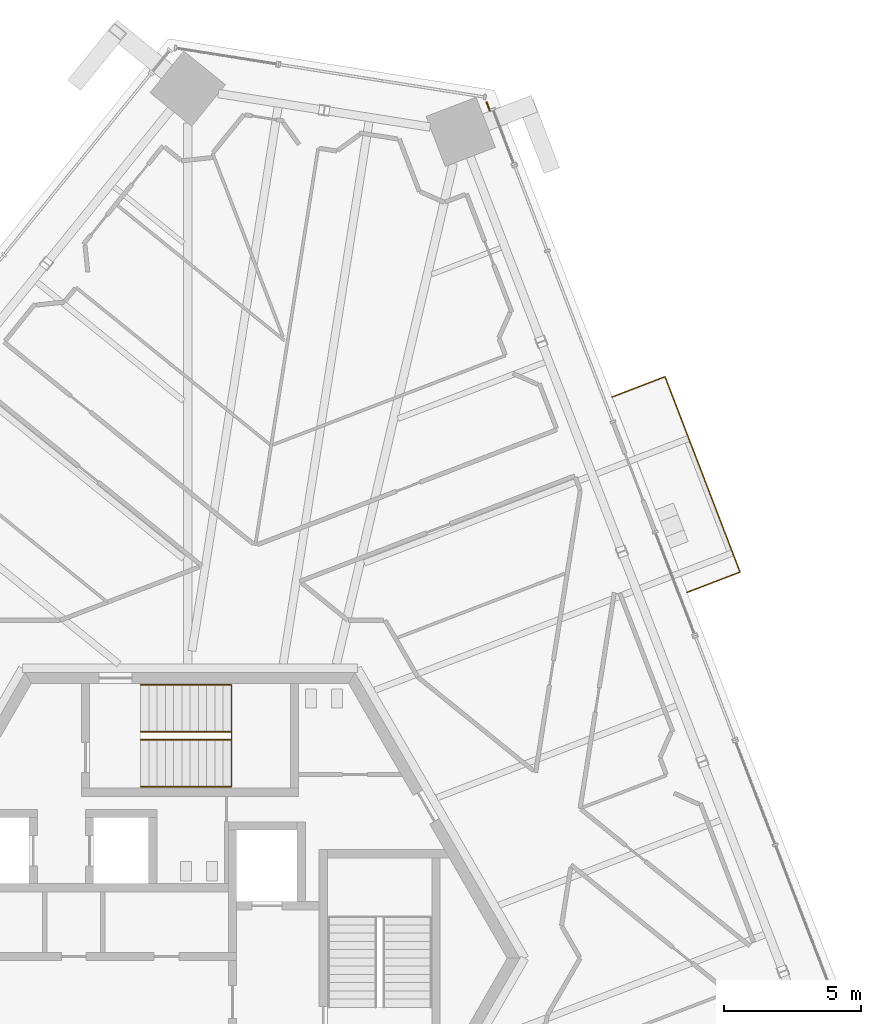
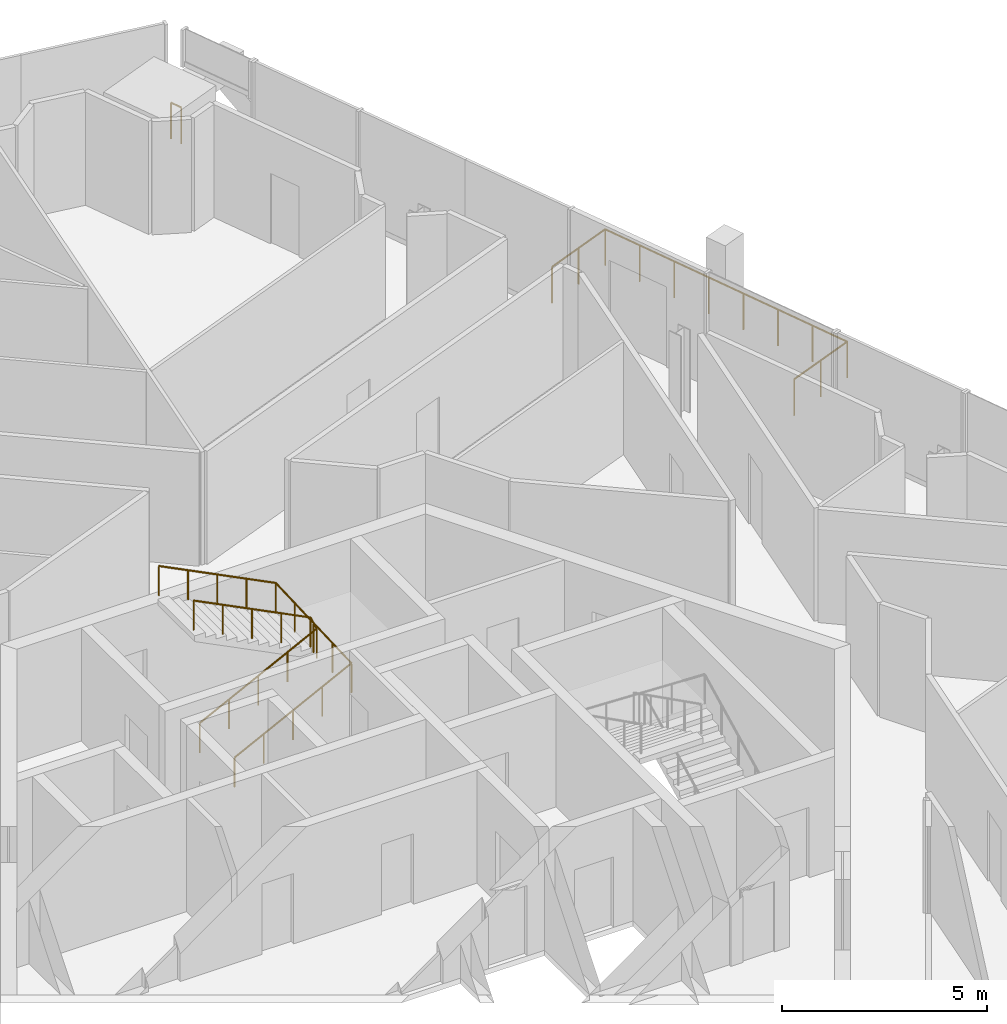
# One storey, part 20 of 23: 4 railings.
"""IFC4 building model written with IfcOpenShell, lengths in metres."""

from ifc_helpers import new_model, si_unit, direction, frame, origin, origin_2d, place, context, subcontext, project, spatial, circle, extrude, source, transform, mapped, material, type_object, element, save


model = new_model("IFC4")

# Units and contexts
model_context = context("Model", 3, precision=1e-05, world=origin(), true_north=direction((0.0, 1.0)))
body_context = subcontext(model_context, "Body", "Model", "MODEL_VIEW")
ifc_project = project(units=[si_unit("LENGTHUNIT", "METRE"), si_unit("AREAUNIT", "SQUARE_METRE"), si_unit("VOLUMEUNIT", "CUBIC_METRE"), si_unit("PLANEANGLEUNIT", "RADIAN"), si_unit("MASSUNIT", "GRAM", prefix="KILO")], contexts=[model_context])

# Site, building, storey
site_placement = place(None, origin())
site = spatial("IfcSite", under=ifc_project, at=site_placement, CompositionType="ELEMENT")
building_placement = place(site_placement, origin())
building = spatial("IfcBuilding", under=site, at=building_placement, Name="Triune Harvest Tower", CompositionType="ELEMENT")
storey_placement = place(building_placement, frame((0.0, 0.0, 171.300048828125)))
storey = spatial("IfcBuildingStorey", under=building, at=storey_placement, Name="L44", CompositionType="ELEMENT", Elevation=171.300048828125)

# Railings
ifc_material_1 = material(Name="Glass", Category="glass")
railing_type_1 = type_object("IfcRailingType", Name="GD-3 facade guard 1100", PredefinedType="GUARDRAIL", material=ifc_material_1)
railing_1_placement = place(storey_placement, frame((10.9033203125, 30.827392578125, 0.0)))
element("IfcRailing", 1, at=railing_1_placement, inside=storey, type_object=railing_type_1, Name="Facade guard B4-F1 L44.2.1", PredefinedType="GUARDRAIL", context=body_context, shape_type="SweptSolid", body=[
    extrude(circle(Radius=0.02392578125, at=origin_2d()), frame((0.0, 0.0, 1.076171875), z_axis=(-0.358478574369, 0.933537954086, 0.0), x_axis=(-0.933537954086, -0.358478574369, 0.0)), (0.0, 0.0, 1.0), 0.326904296875),
    extrude(circle(Radius=0.02099609375, at=origin_2d()), origin(), (0.0, 0.0, 1.0), 1.052001953125),
    extrude(circle(Radius=0.02099609375, at=origin_2d()), frame((-0.1171875, 0.30517578125, 0.0)), (0.0, 0.0, 1.0), 1.052001953125),
])
ifc_material_2 = material(Name="Stainless steel AISI 316", Category="steel")
railing_type_2 = type_object("IfcRailingType", Name="Stair handrail", PredefinedType="HANDRAIL", material=ifc_material_2)
railing_2_placement = place(storey_placement, frame((-1.7900390625, 6.239990234375, 0.15087890625)))
element("IfcRailing", 2, at=railing_2_placement, inside=storey, type_object=railing_type_2, Name="Exit stair north wall handrail", PredefinedType="HANDRAIL", context=body_context, shape_type="SweptSolid", body=[
    extrude(circle(Radius=0.02392578125, at=origin_2d()), frame((0.0, 0.0, 0.8759765625), z_axis=(0.893168195916, 0.0, 0.449722774388), x_axis=(0.0, 1.0, 0.0)), (0.0, 0.0, 1.0), 3.69482421875),
    extrude(circle(Radius=0.02392578125, at=origin_2d()), frame((3.300048828125, 0.0, 2.53759765625), z_axis=(0.0, 0.999169587562, 0.040744757843), x_axis=(-1.0, 0.0, 0.0)), (0.0, 0.0, 1.0), 3.703125),
    extrude(circle(Radius=0.02392578125, at=origin_2d()), frame((3.300048828125, 3.699951171875, 2.6884765625), z_axis=(-0.893168195916, 0.0, 0.449722774388), x_axis=(0.0, -1.0, 0.0)), (0.0, 0.0, 1.0), 3.69482421875),
    extrude(circle(Radius=0.02099609375, at=origin_2d()), origin(), (0.0, 0.0, 1.0), 0.851806640625),
    extrude(circle(Radius=0.02099609375, at=origin_2d()), frame((0.824951171875, 0.0, 0.41552734375)), (0.0, 0.0, 1.0), 0.851806640625),
    extrude(circle(Radius=0.02099609375, at=origin_2d()), frame((1.64990234375, 0.0, 0.830810546875)), (0.0, 0.0, 1.0), 0.851806640625),
    extrude(circle(Radius=0.02099609375, at=origin_2d()), frame((2.47509765625, 0.0, 1.24609375)), (0.0, 0.0, 1.0), 0.851806640625),
    extrude(circle(Radius=0.02099609375, at=origin_2d()), frame((3.300048828125, 0.0, 1.66162109375)), (0.0, 0.0, 1.0), 0.851806640625),
    extrude(circle(Radius=0.02099609375, at=origin_2d()), frame((3.300048828125, 0.925048828125, 1.69921875)), (0.0, 0.0, 1.0), 0.851806640625),
    extrude(circle(Radius=0.02099609375, at=origin_2d()), frame((3.300048828125, 1.85009765625, 1.737060546875)), (0.0, 0.0, 1.0), 0.851806640625),
    extrude(circle(Radius=0.02099609375, at=origin_2d()), frame((3.300048828125, 2.77490234375, 1.77490234375)), (0.0, 0.0, 1.0), 0.851806640625),
    extrude(circle(Radius=0.02099609375, at=origin_2d()), frame((3.300048828125, 3.699951171875, 1.8125)), (0.0, 0.0, 1.0), 0.851806640625),
    extrude(circle(Radius=0.02099609375, at=origin_2d()), frame((2.47509765625, 3.699951171875, 2.22802734375)), (0.0, 0.0, 1.0), 0.851806640625),
    extrude(circle(Radius=0.02099609375, at=origin_2d()), frame((1.64990234375, 3.699951171875, 2.643310546875)), (0.0, 0.0, 1.0), 0.851806640625),
    extrude(circle(Radius=0.02099609375, at=origin_2d()), frame((0.824951171875, 3.699951171875, 3.05859375)), (0.0, 0.0, 1.0), 0.851806640625),
    extrude(circle(Radius=0.02099609375, at=origin_2d()), frame((0.0, 3.699951171875, 3.47412109375)), (0.0, 0.0, 1.0), 0.851806640625),
])
railing_3_placement = place(storey_placement, frame((-1.7900390625, 7.93994140625, 0.15087890625)))
element("IfcRailing", 3, at=railing_3_placement, inside=storey, type_object=railing_type_2, Name="Exit stair north centre handrail", PredefinedType="HANDRAIL", context=body_context, shape_type="SweptSolid", body=[
    extrude(circle(Radius=0.02392578125, at=origin_2d()), frame((0.0, 0.0, 0.8759765625), z_axis=(0.893168195916, 0.0, 0.449722774388), x_axis=(0.0, 1.0, 0.0)), (0.0, 0.0, 1.0), 3.69482421875),
    extrude(circle(Radius=0.02392578125, at=origin_2d()), frame((3.300048828125, 0.0, 2.53759765625), z_axis=(0.0, 0.8934071614, 0.449247864724), x_axis=(-1.0, 0.0, 0.0)), (0.0, 0.0, 1.0), 0.3359375),
    extrude(circle(Radius=0.02392578125, at=origin_2d()), frame((3.300048828125, 0.300048828125, 2.6884765625), z_axis=(-0.893168195916, 0.0, 0.449722774388), x_axis=(0.0, -1.0, 0.0)), (0.0, 0.0, 1.0), 3.69482421875),
    extrude(circle(Radius=0.02099609375, at=origin_2d()), origin(), (0.0, 0.0, 1.0), 0.851806640625),
    extrude(circle(Radius=0.02099609375, at=origin_2d()), frame((0.824951171875, 0.0, 0.41552734375)), (0.0, 0.0, 1.0), 0.851806640625),
    extrude(circle(Radius=0.02099609375, at=origin_2d()), frame((1.64990234375, 0.0, 0.830810546875)), (0.0, 0.0, 1.0), 0.851806640625),
    extrude(circle(Radius=0.02099609375, at=origin_2d()), frame((2.47509765625, 0.0, 1.24609375)), (0.0, 0.0, 1.0), 0.851806640625),
    extrude(circle(Radius=0.02099609375, at=origin_2d()), frame((3.300048828125, 0.0, 1.66162109375)), (0.0, 0.0, 1.0), 0.851806640625),
    extrude(circle(Radius=0.02099609375, at=origin_2d()), frame((3.300048828125, 0.300048828125, 1.8125)), (0.0, 0.0, 1.0), 0.851806640625),
    extrude(circle(Radius=0.02099609375, at=origin_2d()), frame((2.47509765625, 0.300048828125, 2.22802734375)), (0.0, 0.0, 1.0), 0.851806640625),
    extrude(circle(Radius=0.02099609375, at=origin_2d()), frame((1.64990234375, 0.300048828125, 2.643310546875)), (0.0, 0.0, 1.0), 0.851806640625),
    extrude(circle(Radius=0.02099609375, at=origin_2d()), frame((0.824951171875, 0.300048828125, 3.05859375)), (0.0, 0.0, 1.0), 0.851806640625),
    extrude(circle(Radius=0.02099609375, at=origin_2d()), frame((0.0, 0.300048828125, 3.47412109375)), (0.0, 0.0, 1.0), 0.851806640625),
])
ifc_material_3 = material(Name="Glass", Category="glass")
railing_type_3 = type_object("IfcRailingType", Name="GD-2 balcony guard 1100", PredefinedType="GUARDRAIL", material=ifc_material_3)
shared_shape = source(origin(), body_context, "Body", "SweptSolid", [
    extrude(circle(Radius=0.02392578125, at=origin_2d()), frame((0.0, 0.0, 1.076171875), z_axis=(0.933525587236, 0.358510778047, 0.0), x_axis=(-0.358510778047, 0.933525587236, 0.0)), (0.0, 0.0, 1.0), 2.061279296875),
    extrude(circle(Radius=0.02392578125, at=origin_2d()), frame((1.92431640625, 0.739013671875, 1.076171875), z_axis=(-0.358379540334, 0.933575977128, 0.0), x_axis=(-0.933575977128, -0.358379540334, 0.0)), (0.0, 0.0, 1.0), 7.6142578125),
    extrude(circle(Radius=0.02392578125, at=origin_2d()), frame((-0.804443359375, 7.847412109375, 1.076171875), z_axis=(-0.933565221806, -0.358407556608, 0.0), x_axis=(0.358407556608, -0.933565221806, 0.0)), (0.0, 0.0, 1.0), 2.061279296875),
    extrude(circle(Radius=0.02099609375, at=origin_2d()), origin(), (0.0, 0.0, 1.0), 1.052001953125),
    extrude(circle(Radius=0.02099609375, at=origin_2d()), frame((0.962158203125, 0.36962890625, 0.0)), (0.0, 0.0, 1.0), 1.052001953125),
    extrude(circle(Radius=0.02099609375, at=origin_2d()), frame((1.92431640625, 0.739013671875, 0.0)), (0.0, 0.0, 1.0), 1.052001953125),
    extrude(circle(Radius=0.02099609375, at=origin_2d()), frame((1.534423828125, 1.75439453125, 0.0)), (0.0, 0.0, 1.0), 1.052001953125),
    extrude(circle(Radius=0.02099609375, at=origin_2d()), frame((1.144775390625, 2.77001953125, 0.0)), (0.0, 0.0, 1.0), 1.052001953125),
    extrude(circle(Radius=0.02099609375, at=origin_2d()), frame((0.7548828125, 3.785400390625, 0.0)), (0.0, 0.0, 1.0), 1.052001953125),
    extrude(circle(Radius=0.02099609375, at=origin_2d()), frame((0.364990234375, 4.801025390625, 0.0)), (0.0, 0.0, 1.0), 1.052001953125),
    extrude(circle(Radius=0.02099609375, at=origin_2d()), frame((-0.02490234375, 5.81640625, 0.0)), (0.0, 0.0, 1.0), 1.052001953125),
    extrude(circle(Radius=0.02099609375, at=origin_2d()), frame((-0.41455078125, 6.83203125, 0.0)), (0.0, 0.0, 1.0), 1.052001953125),
    extrude(circle(Radius=0.02099609375, at=origin_2d()), frame((-0.804443359375, 7.847412109375, 0.0)), (0.0, 0.0, 1.0), 1.052001953125),
    extrude(circle(Radius=0.02099609375, at=origin_2d()), frame((-1.7666015625, 7.47802734375, 0.0)), (0.0, 0.0, 1.0), 1.052001953125),
    extrude(circle(Radius=0.02099609375, at=origin_2d()), frame((-2.728759765625, 7.108642578125, 0.0)), (0.0, 0.0, 1.0), 1.052001953125),
])
railing_4_placement = place(storey_placement, frame((18.08447265625, 13.302978515625, 0.0)))
element("IfcRailing", 4, at=railing_4_placement, inside=storey, type_object=railing_type_3, Name="Balcony guard B4-F1 L44.9", PredefinedType="GUARDRAIL", context=body_context, shape_type="MappedRepresentation", body=[
    mapped(shared_shape, transform((0.0, 0.0, 0.0), scale=1.0)),
])

save(model, "model.ifc")
